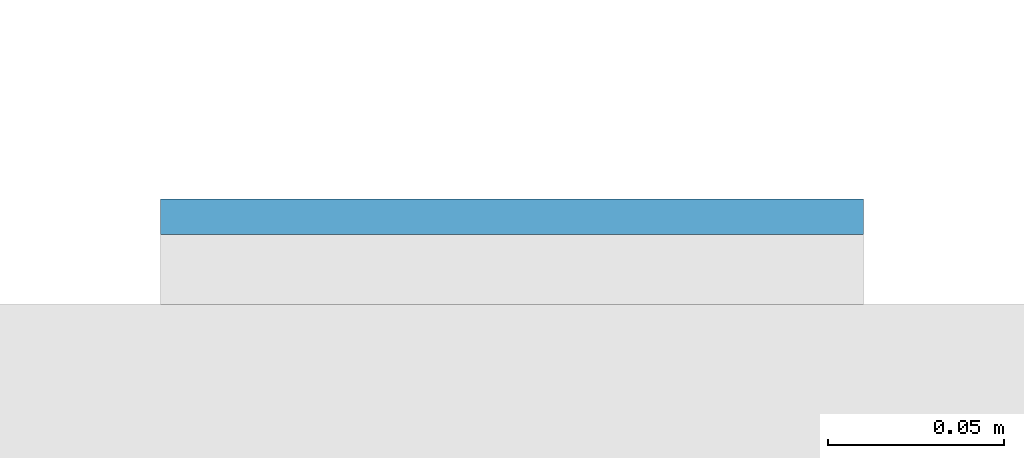
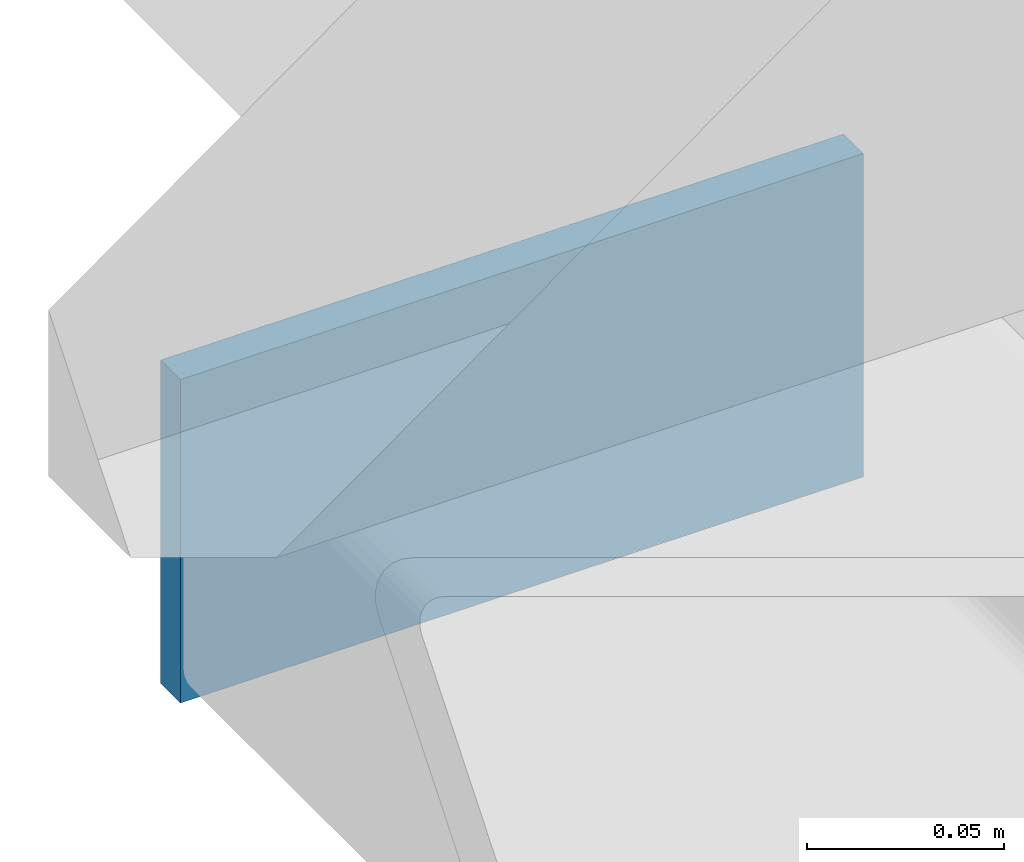
# One storey, part 9 of 20: 1 plate.
"""IFC4 building model written with IfcOpenShell, lengths in metres."""

import ifcopenshell
import ifcopenshell.guid

model = None  # the IFC model being written
_history = None  # IfcOwnerHistory: only IFC2X3 demands one
_inside = {}  # id of a spatial element -> (the spatial element, [elements in it])
_under = {}  # id of a project, library or spatial element -> (it, [spatial elements below it])
_declared = {}  # id of a project -> (the project, [libraries it declares])
_typed = {}  # id of a type object -> (the type object, [elements of that type])
_made_of = {}  # id of a material, layer set ... -> (it, [elements and type objects made of it])


def new_model(schema):
    """Start an empty IFC model of exactly this schema.

    Asked for "IFC4X3", IfcOpenShell would pick the latest addendum, in which some entities
    have other attributes; the version numbers below select the first issue.
    IFC2X3 requires an IfcOwnerHistory on every rooted entity: one is made here for all.
    """
    global model, _history
    if schema == "IFC4X3":
        model = ifcopenshell.file(schema_version=(4, 3, 0, 0))
    else:
        model = ifcopenshell.file(schema=schema)
    _inside.clear()
    _under.clear()
    _declared.clear()
    _typed.clear()
    _made_of.clear()
    _history = None
    if model.schema == "IFC2X3":
        org = make("IfcOrganization", Name="unknown")
        user = make(
            "IfcPersonAndOrganization",
            ThePerson=make("IfcPerson", FamilyName="unknown"),
            TheOrganization=org,
        )
        app = make(
            "IfcApplication",
            ApplicationDeveloper=org,
            Version="unknown",
            ApplicationFullName="unknown",
            ApplicationIdentifier="unknown",
        )
        _history = make(
            "IfcOwnerHistory",
            OwningUser=user,
            OwningApplication=app,
            ChangeAction="ADDED",
            CreationDate=0,
        )
    return model


def make(cls, **values):
    """One entity of the class cls with the attributes given. An attribute that is None is left unset."""
    return model.create_entity(
        cls, **{name: value for name, value in values.items() if value is not None}
    )


def rooted(cls, **values):
    """An entity with a GlobalId (a new one), such as an element, a storey or a relation."""
    return make(cls, GlobalId=ifcopenshell.guid.new(), OwnerHistory=_history, **values)


def si_unit(unit_type, name, prefix=None):
    """IfcSIUnit, for example si_unit("LENGTHUNIT", "METRE", prefix="MILLI")."""
    return make("IfcSIUnit", UnitType=unit_type, Prefix=prefix, Name=name)


def assignment(units):
    """IfcUnitAssignment: the units of a project."""
    return None if units is None else make("IfcUnitAssignment", Units=units)


def point(xyz):
    """IfcCartesianPoint."""
    return None if xyz is None else make("IfcCartesianPoint", Coordinates=xyz)


def direction(xyz):
    """IfcDirection."""
    return None if xyz is None else make("IfcDirection", DirectionRatios=xyz)


def frame(location, z_axis=None, x_axis=None):
    """IfcAxis2Placement3D, a coordinate frame: its origin and axes. An axis left out is left unset."""
    return make(
        "IfcAxis2Placement3D",
        Location=point(location),
        Axis=direction(z_axis),
        RefDirection=direction(x_axis),
    )


def frame_2d(location, x_axis=None):
    """IfcAxis2Placement2D, a coordinate frame in the plane: its origin and x axis."""
    return make(
        "IfcAxis2Placement2D", Location=point(location), RefDirection=direction(x_axis)
    )


def origin():
    """The frame at (0, 0, 0) with its axes left unset."""
    return frame((0.0, 0.0, 0.0))


def origin_2d():
    """The frame at (0, 0) in the plane with its x axis left unset."""
    return frame_2d((0.0, 0.0))


def place(relative_to, where):
    """IfcLocalPlacement: puts the frame where relative to a parent placement (None: the world)."""
    return make(
        "IfcLocalPlacement", PlacementRelTo=relative_to, RelativePlacement=where
    )


def context(
    kind, dimensions, precision=None, world=None, true_north=None, identifier=None
):
    """IfcGeometricRepresentationContext, for example the 3D "Model" context."""
    return make(
        "IfcGeometricRepresentationContext",
        ContextIdentifier=identifier,
        ContextType=kind,
        CoordinateSpaceDimension=dimensions,
        Precision=precision,
        WorldCoordinateSystem=world,
        TrueNorth=true_north,
    )


def subcontext(parent, identifier, kind, view, scale=None):
    """IfcGeometricRepresentationSubContext, for example "Body" below "Model"."""
    return make(
        "IfcGeometricRepresentationSubContext",
        ContextIdentifier=identifier,
        ContextType=kind,
        ParentContext=parent,
        TargetScale=scale,
        TargetView=view,
    )


def project(units=None, contexts=None):
    """IfcProject with its units and contexts."""
    return rooted(
        "IfcProject",
        Name="project",
        RepresentationContexts=contexts,
        UnitsInContext=assignment(units),
    )


def spatial(cls, under=None, at=None, **own):
    """A site, building, storey or space (cls), placed at a placement, below another one or the project."""
    s = rooted(cls, ObjectPlacement=at, **own)
    if under is not None:
        _under.setdefault(under.id(), (under, []))[1].append(s)
    return s


def profile(cls, at=None, kind="AREA", **sizes):
    """A parametric profile (cls). Its sizes go by their IFC names, for example OverallWidth=200.0."""
    return make(cls, ProfileType=kind, Position=at, **sizes)


def rectangle(**sizes):
    """IfcRectangleProfileDef."""
    return profile("IfcRectangleProfileDef", **sizes)


def extrude(swept, where, along, depth):
    """IfcExtrudedAreaSolid: the profile swept, set in the frame where, extruded along a direction by depth."""
    return make(
        "IfcExtrudedAreaSolid",
        SweptArea=swept,
        Position=where,
        ExtrudedDirection=direction(along),
        Depth=depth,
    )


def shape(context_of_items, identifier, shape_type, items):
    """IfcShapeRepresentation: the items that make up one representation, for example the "Body"."""
    return make(
        "IfcShapeRepresentation",
        ContextOfItems=context_of_items,
        RepresentationIdentifier=identifier,
        RepresentationType=shape_type,
        Items=items,
    )


def material(Name=None, Category=None):
    """IfcMaterial."""
    return make("IfcMaterial", Name=Name, Category=Category)


def layer(
    of_material, thickness, ventilated=None, Name=None, Category=None, Priority=None
):
    """IfcMaterialLayer: one layer of a wall or slab, of a material (None: an air gap)."""
    return make(
        "IfcMaterialLayer",
        Material=of_material,
        LayerThickness=thickness,
        IsVentilated=ventilated,
        Name=Name,
        Category=Category,
        Priority=Priority,
    )


def layer_set(layers, Name=None):
    """IfcMaterialLayerSet."""
    return make("IfcMaterialLayerSet", MaterialLayers=layers, LayerSetName=Name)


def made_of(thing, what):
    """Note that an element or type object is made of a material, layer set ...; save() writes the relation."""
    if what is not None:
        _made_of.setdefault(what.id(), (what, []))[1].append(thing)
    return thing


def type_object(cls, material=None, **own):
    """A type object (cls), such as IfcWallType, which elements share."""
    return made_of(rooted(cls, **own), material)


def element(
    cls,
    number,
    at=None,
    inside=None,
    cuts=None,
    type_object=None,
    material=None,
    context=None,
    identifier="Body",
    shape_type=None,
    held_by="IfcProductDefinitionShape",
    body=None,
    shapes=None,
    **own,
):
    """One element of the class cls, such as IfcWall. Its Tag is "e" and its number.

    at: its placement. inside: the storey or other place that contains it. cuts: it is an
    opening in that element (IfcRelVoidsElement). A single representation is given by context,
    identifier, shape_type and body (its items); several are given by shapes. held_by: the class
    of the entity that holds the representations. save() writes the other relations.
    """
    e = rooted(cls, Tag="e%d" % number, ObjectPlacement=at, **own)
    if body is not None:
        shapes = [shape(context, identifier, shape_type, body)]
    if shapes is not None:
        e.Representation = make(held_by, Representations=shapes)
    if inside is not None:
        _inside.setdefault(inside.id(), (inside, []))[1].append(e)
    if cuts is not None:
        rooted(
            "IfcRelVoidsElement", RelatingBuildingElement=cuts, RelatedOpeningElement=e
        )
    if type_object is not None:
        _typed.setdefault(type_object.id(), (type_object, []))[1].append(e)
    return made_of(e, material)


def aggregate(whole, parts):
    """IfcRelAggregates: a whole, such as a stair, and the parts it consists of."""
    return rooted("IfcRelAggregates", RelatingObject=whole, RelatedObjects=parts)


def save(model, path):
    """Write the relations noted so far, then the file.

    IfcRelAggregates (storeys below a building ...), IfcRelContainedInSpatialStructure (elements
    in a storey), IfcRelDefinesByType, IfcRelAssociatesMaterial and IfcRelDeclares: one each for
    every whole, place, type object, material and project.
    """
    for whole, parts in _under.values():
        aggregate(whole, parts)
    for where, things in _inside.values():
        rooted(
            "IfcRelContainedInSpatialStructure",
            RelatedElements=things,
            RelatingStructure=where,
        )
    for kind, things in _typed.values():
        rooted("IfcRelDefinesByType", RelatedObjects=things, RelatingType=kind)
    for what, things in _made_of.values():
        rooted("IfcRelAssociatesMaterial", RelatedObjects=things, RelatingMaterial=what)
    for by, libraries in _declared.values():
        rooted("IfcRelDeclares", RelatingContext=by, RelatedDefinitions=libraries)
    model.write(path)


model = new_model("IFC4")

# Units and contexts
model_context = context("Model", 3, precision=1e-05, world=origin(), true_north=direction((0.0, 1.0)))
body_context = subcontext(model_context, "Body", "Model", "MODEL_VIEW")
ifc_project = project(units=[si_unit("LENGTHUNIT", "METRE"), si_unit("AREAUNIT", "SQUARE_METRE"), si_unit("VOLUMEUNIT", "CUBIC_METRE"), si_unit("PLANEANGLEUNIT", "RADIAN"), si_unit("MASSUNIT", "GRAM", prefix="KILO")], contexts=[model_context])

# Site, building, storey
site_placement = place(None, origin())
site = spatial("IfcSite", under=ifc_project, at=site_placement, CompositionType="ELEMENT")
building_placement = place(site_placement, origin())
building = spatial("IfcBuilding", under=site, at=building_placement, Name="Cleftline Residences", CompositionType="ELEMENT")
storey_placement = place(building_placement, frame((0.0, 0.0, 76.39990234375)))
storey = spatial("IfcBuildingStorey", under=building, at=storey_placement, Name="L19", CompositionType="ELEMENT", Elevation=76.39990234375)

# Plate
ifc_material = material(Name="Steel S355, hot-dip galvanised", Category="steel")
ifc_layer = layer(ifc_material, 0.010009765625)
ifc_layer_set = layer_set([ifc_layer], Name="BAGUETTE CARRIER END PLATE 200X100X10")
plate_type = type_object("IfcPlateType", Name="BAGUETTE CARRIER END PLATE 200X100X10", PredefinedType="USERDEFINED", material=ifc_layer_set)
plate_placement = place(storey_placement, frame((-0.85009765625, 44.304931640625, -0.099853515625), z_axis=(0.0, 0.0, 1.0), x_axis=(-1.0, 0.0, 0.0)))
element("IfcPlate", 1, at=plate_placement, inside=storey, type_object=plate_type, Name="Baguette carrier end plate", ObjectType="BAGUETTE CARRIER END PLATE", PredefinedType="USERDEFINED", context=body_context, shape_type="SweptSolid", body=[
    extrude(rectangle(XDim=0.199951171875, YDim=0.010009765625, at=origin_2d()), origin(), (0.0, 0.0, 1.0), 0.10009765625),
])

save(model, "model.ifc")
